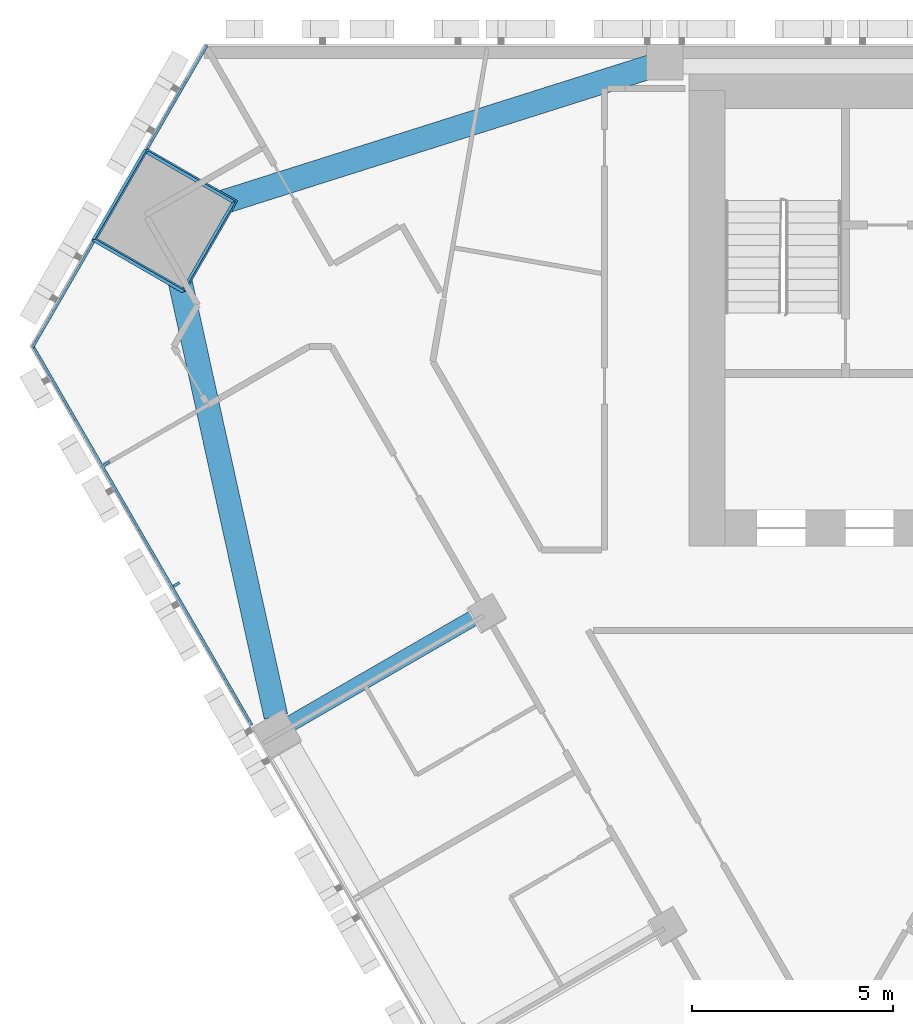
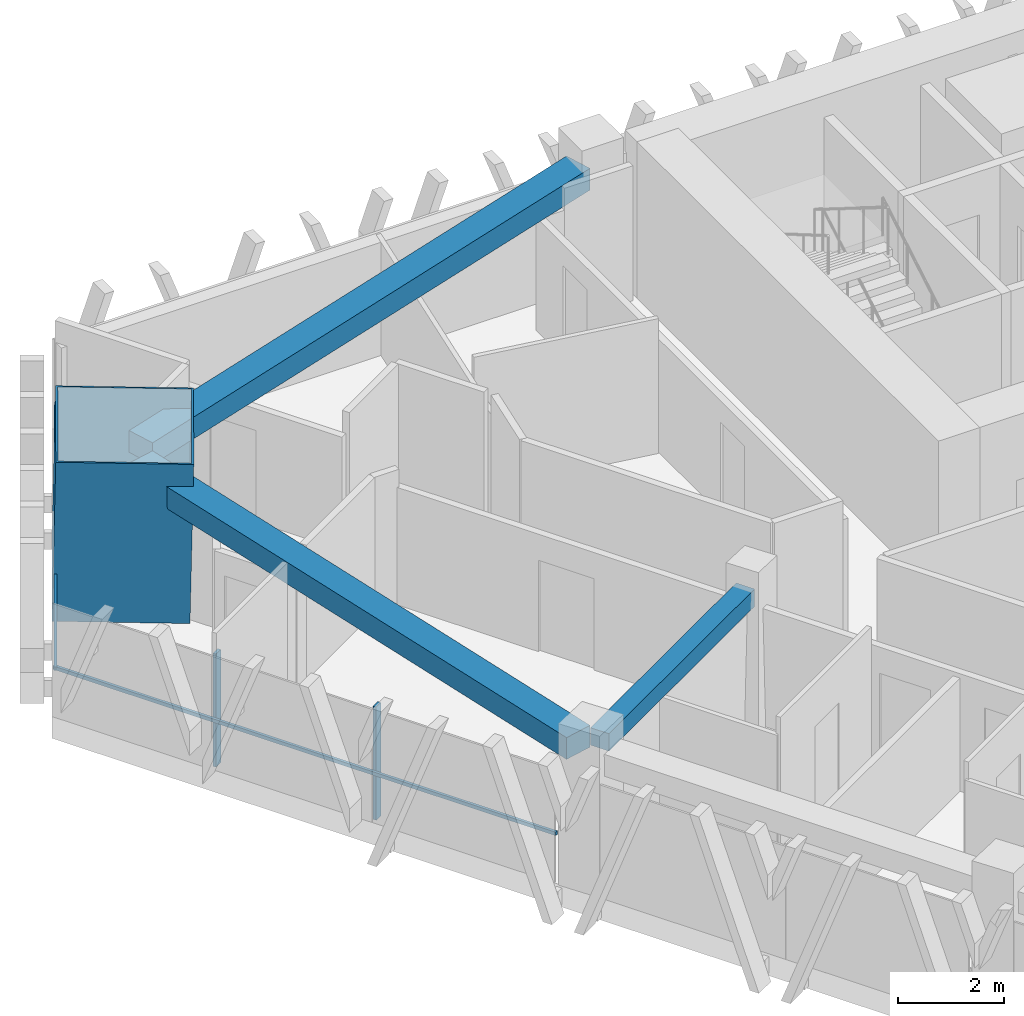
# One storey, part 5 of 16: 6 members, 3 beams, 2 elements without a shape of their own.
"""IFC4 building model written with IfcOpenShell, lengths in metres."""

from ifc_helpers import new_model, si_unit, direction, frame, origin, origin_2d, place, context, subcontext, project, spatial, rectangle, hollow_rectangle, extrude, material, layer, layer_set, material_profile, profile_set, type_object, element, aggregate, save


model = new_model("IFC4")

# Units and contexts
model_context = context("Model", 3, precision=1e-05, world=origin(), true_north=direction((0.0, 1.0)))
body_context = subcontext(model_context, "Body", "Model", "MODEL_VIEW")
ifc_project = project(units=[si_unit("LENGTHUNIT", "METRE"), si_unit("AREAUNIT", "SQUARE_METRE"), si_unit("VOLUMEUNIT", "CUBIC_METRE"), si_unit("PLANEANGLEUNIT", "RADIAN"), si_unit("MASSUNIT", "GRAM", prefix="KILO")], contexts=[model_context])

# Site, building, storey
site_placement = place(None, origin())
site = spatial("IfcSite", under=ifc_project, at=site_placement, CompositionType="ELEMENT")
building_placement = place(site_placement, origin())
building = spatial("IfcBuilding", under=site, at=building_placement, Name="Altiplano Prism Tower", CompositionType="ELEMENT")
storey_placement = place(building_placement, frame((0.0, 0.0, 88.199951171875)))
storey = spatial("IfcBuildingStorey", under=building, at=storey_placement, Name="L22", CompositionType="ELEMENT", Elevation=88.199951171875)

# Curtain wall, members
ifc_material_1 = material(Name="Aluminium and glass", Category="aluminium")
ifc_layer = layer(ifc_material_1, 0.280029296875)
ifc_layer_set = layer_set([ifc_layer], Name="Aluminium and glass")
curtain_wall_type = type_object("IfcCurtainWallType", Name="CW1 typical co-living unitised curtain wall", PredefinedType="NOTDEFINED", material=ifc_layer_set)
curtain_wall_1_placement = place(storey_placement, origin())
curtain_wall_1 = element("IfcCurtainWall", 1, at=curtain_wall_1_placement, inside=storey, type_object=curtain_wall_type, Name="CW1 curtain wall south-west face L22", PredefinedType="NOTDEFINED")
ifc_material_2 = material(Name="Aluminium", Category="aluminium")
ifc_material_profile_1 = material_profile(ifc_material_2, rectangle(XDim=0.179931640625, YDim=0.06494140625, at=origin_2d()), Name="CW1 mullion 65 x 180")
ifc_profile_set_1 = profile_set([ifc_material_profile_1], Name="Aluminium")
member_type_1 = type_object("IfcMemberType", Name="CW1 mullion 65 x 180", PredefinedType="MULLION", material=ifc_profile_set_1)
member_1_placement = place(storey_placement, frame((57.597412109375, 94.55322265625, 0.0), z_axis=(0.0, 0.0, 1.0), x_axis=(0.866025398243, 0.500000009598, 0.0)))
member_1 = element("IfcMember", 2, at=member_1_placement, type_object=member_type_1, Name="CW1 mullion", PredefinedType="MULLION", context=body_context, shape_type="SweptSolid", body=[
    extrude(rectangle(XDim=0.179931640625, YDim=0.06494140625, at=origin_2d()), origin(), (0.0, 0.0, 1.0), 2.60009765625),
])
member_2_placement = place(storey_placement, frame((59.337890625, 91.538818359375, 0.0), z_axis=(0.0, 0.0, 1.0), x_axis=(0.866025398243, 0.500000009598, 0.0)))
member_2 = element("IfcMember", 3, at=member_2_placement, type_object=member_type_1, Name="CW1 mullion", PredefinedType="MULLION", context=body_context, shape_type="SweptSolid", body=[
    extrude(rectangle(XDim=0.179931640625, YDim=0.06494140625, at=origin_2d()), origin(), (0.0, 0.0, 1.0), 2.60009765625),
])

curtain_wall_2_placement = place(storey_placement, origin())
curtain_wall_2 = element("IfcCurtainWall", 4, at=curtain_wall_2_placement, inside=storey, type_object=curtain_wall_type, Name="CW1 curtain wall north-west chamfer L22", PredefinedType="NOTDEFINED")
ifc_material_profile_2 = material_profile(ifc_material_2, rectangle(XDim=0.06005859375, YDim=0.080078125, at=origin_2d()), Name="CW1 transom 80 x 60")
ifc_profile_set_2 = profile_set([ifc_material_profile_2], Name="Aluminium")
member_type_2 = type_object("IfcMemberType", Name="CW1 transom 80 x 60", PredefinedType="USERDEFINED", material=ifc_profile_set_2)
member_3_placement = place(storey_placement, frame((60.0986328125, 104.965087890625, 1.10009765625), z_axis=(-0.49998134429, -0.866036174396, 0.0), x_axis=(0.866036174396, -0.49998134429, 0.0)))
member_3 = element("IfcMember", 5, at=member_3_placement, type_object=member_type_2, Name="CW1 transom", ObjectType="TRANSOM", PredefinedType="USERDEFINED", context=body_context, shape_type="SweptSolid", body=[
    extrude(rectangle(XDim=0.06005859375, YDim=0.080078125, at=origin_2d()), origin(), (0.0, 0.0, 1.0), 2.9658203125),
])
member_4_placement = place(storey_placement, frame((57.27587890625, 100.07568359375, 1.10009765625), z_axis=(-0.500018497585, -0.866014723935, 0.0), x_axis=(0.866014723935, -0.500018497585, 0.0)))
member_4 = element("IfcMember", 6, at=member_4_placement, type_object=member_type_2, Name="CW1 transom", ObjectType="TRANSOM", PredefinedType="USERDEFINED", context=body_context, shape_type="SweptSolid", body=[
    extrude(rectangle(XDim=0.06005859375, YDim=0.080078125, at=origin_2d()), origin(), (0.0, 0.0, 1.0), 3.0458984375),
])
aggregate(curtain_wall_2, [member_3, member_4])

# Member
member_5_placement = place(storey_placement, frame((55.7529296875, 97.5078125, 1.10009765625), z_axis=(0.500005971936, -0.866021955858, 0.0), x_axis=(0.866021955858, 0.500005971936, 0.0)))
member_5 = element("IfcMember", 7, at=member_5_placement, type_object=member_type_2, Name="CW1 transom", ObjectType="TRANSOM", PredefinedType="USERDEFINED", context=body_context, shape_type="SweptSolid", body=[
    extrude(rectangle(XDim=0.06005859375, YDim=0.080078125, at=origin_2d()), origin(), (0.0, 0.0, 1.0), 10.932373046875),
])

aggregate(curtain_wall_1, [member_1, member_2, member_5])

# Beams
ifc_material_3 = material(Name="Concrete C60/75", Category="concrete")
ifc_material_profile_3 = material_profile(ifc_material_3, rectangle(XDim=0.60009765625, YDim=0.5, at=origin_2d()), Name="Edge beam 600x500")
ifc_profile_set_3 = profile_set([ifc_material_profile_3], Name="Concrete C60/75")
beam_type_1 = type_object("IfcBeamType", Name="Edge beam 600x500", PredefinedType="SPANDREL", material=ifc_profile_set_3)
beam_1_placement = place(storey_placement, frame((71.164306640625, 104.443603515625, 2.85009765625), z_axis=(-0.953310958722, -0.301990423656, 0.0), x_axis=(0.301990423656, -0.953310958722, 0.0)))
element("IfcBeam", 8, at=beam_1_placement, inside=storey, type_object=beam_type_1, Name="Edge beam P04-M0 L23", PredefinedType="SPANDREL", context=body_context, shape_type="SweptSolid", body=[
    extrude(rectangle(XDim=0.60009765625, YDim=0.5, at=origin_2d()), origin(), (0.0, 0.0, 1.0), 12.212158203125),
])
beam_2_placement = place(storey_placement, frame((59.190185546875, 100.180419921875, 2.85009765625), z_axis=(0.215105468969, -0.976590823846, 0.0), x_axis=(0.976590823846, 0.215105468969, 0.0)))
element("IfcBeam", 9, at=beam_2_placement, inside=storey, type_object=beam_type_1, Name="Edge beam M0-P11 L23", PredefinedType="SPANDREL", context=body_context, shape_type="SweptSolid", body=[
    extrude(rectangle(XDim=0.60009765625, YDim=0.5, at=origin_2d()), origin(), (0.0, 0.0, 1.0), 12.21240234375),
])

# Member
ifc_material_4 = material(Name="Steel S460", Category="steel")
ifc_material_profile_4 = material_profile(ifc_material_4, hollow_rectangle(XDim=2.60009765625, YDim=2.60009765625, WallThickness=0.0400390625, at=origin_2d()), Name="Mega column tube 2600")
ifc_profile_set_4 = profile_set([ifc_material_profile_4], Name="Steel S460")
member_type_3 = type_object("IfcMemberType", Name="Mega column tube 2600", PredefinedType="POST", material=ifc_profile_set_4)
member_6_placement = place(storey_placement, frame((58.990966796875, 100.58642578125, 0.0), z_axis=(0.028401796786, 0.009286506348, 0.999553449666), x_axis=(-0.86620189855, 0.499294816778, 0.019973905167)))
element("IfcMember", 10, at=member_6_placement, inside=storey, type_object=member_type_3, Name="Mega column tube M0 L22", PredefinedType="POST", context=body_context, shape_type="SweptSolid", body=[
    extrude(hollow_rectangle(XDim=2.60009765625, YDim=2.60009765625, WallThickness=0.0400390625, at=origin_2d()), origin(), (0.0, 0.0, 1.0), 3.601806640625),
])

# Beam
ifc_material_profile_5 = material_profile(ifc_material_3, rectangle(XDim=0.39990234375, YDim=0.39990234375, at=origin_2d()), Name="Tie beam 400x400")
ifc_profile_set_5 = profile_set([ifc_material_profile_5], Name="Concrete C60/75")
beam_type_2 = type_object("IfcBeamType", Name="Tie beam 400x400", PredefinedType="BEAM", material=ifc_profile_set_5)
beam_3_placement = place(storey_placement, frame((66.933349609375, 90.820068359375, 2.900146484375), z_axis=(-0.866042665983, -0.499970099802, 0.0), x_axis=(0.499970099802, -0.866042665983, 0.0)))
element("IfcBeam", 11, at=beam_3_placement, inside=storey, type_object=beam_type_2, Name="Tie beam I11 L23", PredefinedType="BEAM", context=body_context, shape_type="SweptSolid", body=[
    extrude(rectangle(XDim=0.39990234375, YDim=0.39990234375, at=origin_2d()), origin(), (0.0, 0.0, 1.0), 5.489990234375),
])

save(model, "model.ifc")
